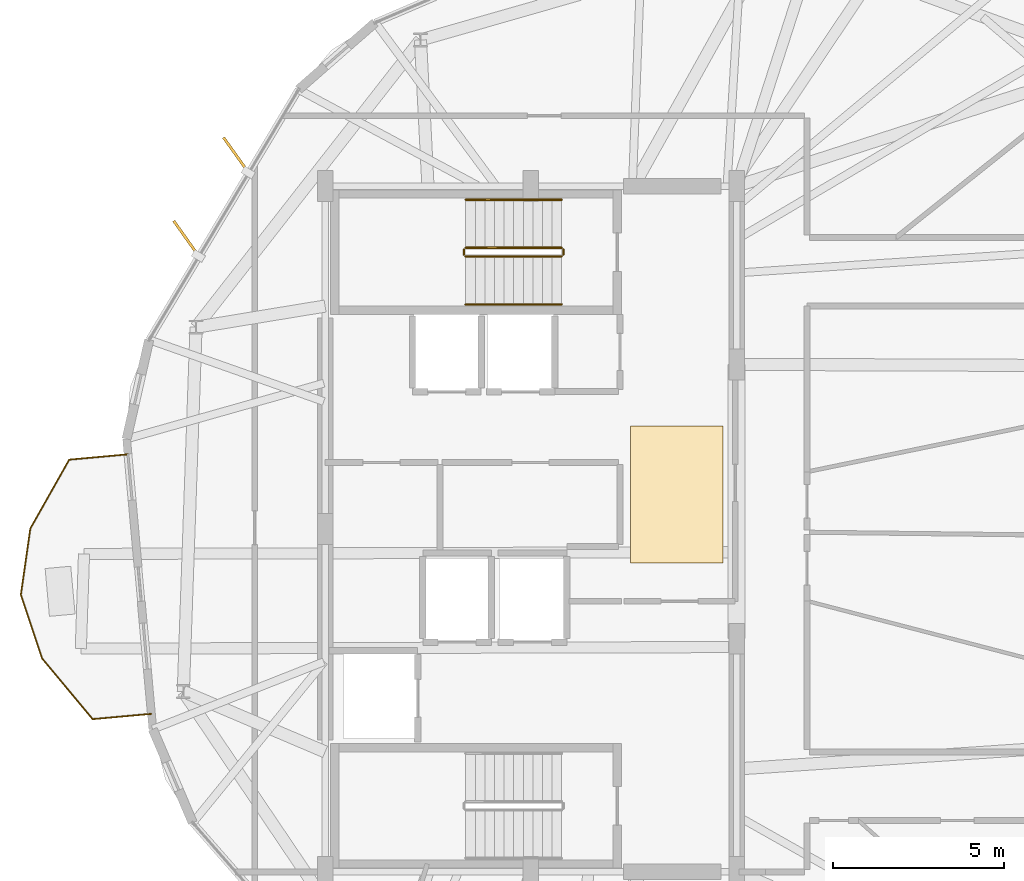
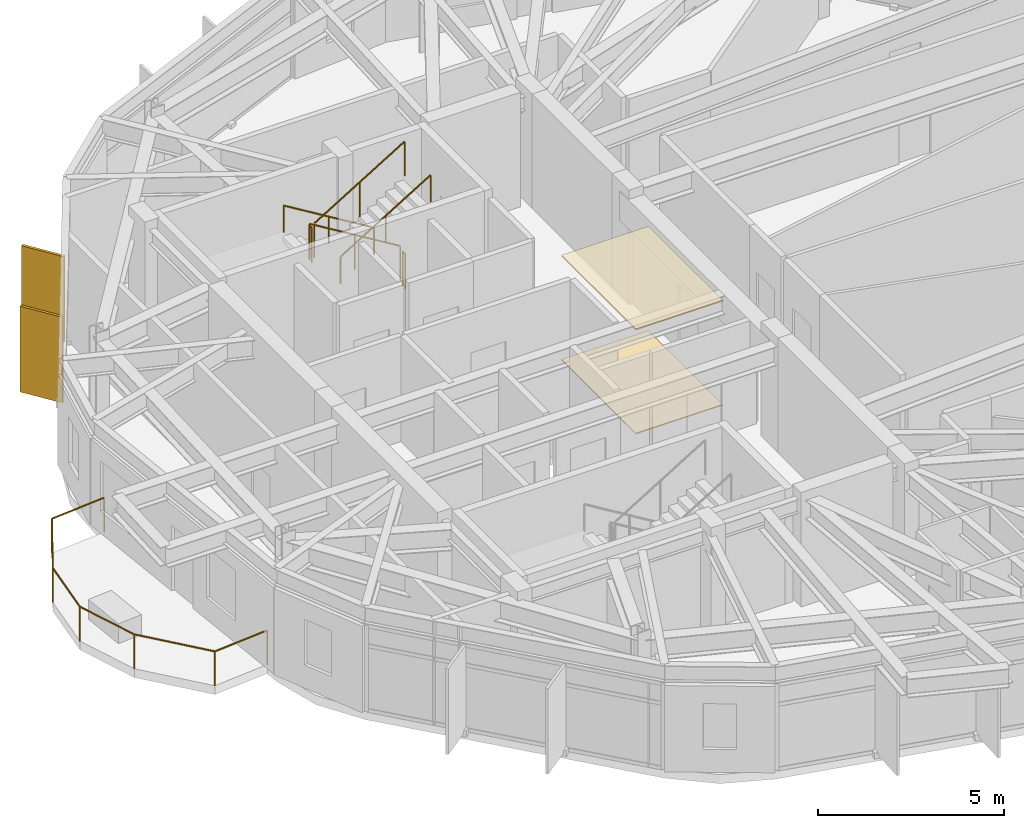
# One storey, part 22 of 23: 7 railings, 2 coverings, 2 shading devices.
"""IFC4 building model written with IfcOpenShell, lengths in metres."""

from ifc_helpers import new_model, si_unit, direction, frame, origin, origin_2d, place, context, subcontext, project, spatial, polyline, rectangle, circle, outline, extrude, material, layer, layer_set, type_object, element, save


model = new_model("IFC4")

# Units and contexts
model_context = context("Model", 3, precision=1e-05, world=origin(), true_north=direction((0.0, 1.0)))
body_context = subcontext(model_context, "Body", "Model", "MODEL_VIEW")
ifc_project = project(units=[si_unit("LENGTHUNIT", "METRE"), si_unit("AREAUNIT", "SQUARE_METRE"), si_unit("VOLUMEUNIT", "CUBIC_METRE"), si_unit("PLANEANGLEUNIT", "RADIAN"), si_unit("MASSUNIT", "GRAM", prefix="KILO")], contexts=[model_context])

# Site, building, storey
site_placement = place(None, origin())
site = spatial("IfcSite", under=ifc_project, at=site_placement, CompositionType="ELEMENT")
building_placement = place(site_placement, origin())
building = spatial("IfcBuilding", under=site, at=building_placement, Name="Soratama Intermodal Tower", CompositionType="ELEMENT")
storey_placement = place(building_placement, frame((0.0, 0.0, 250.0)))
storey = spatial("IfcBuildingStorey", under=building, at=storey_placement, Name="L63", CompositionType="ELEMENT", Elevation=250.0)

# Coverings
ifc_material_1 = material(Name="Perforated mineral acoustic ceiling", Category="concrete")
ifc_layer_1 = layer(ifc_material_1, 0.0400390625)
ifc_layer_set_1 = layer_set([ifc_layer_1], Name="Perforated mineral acoustic ceiling")
covering_type_1 = type_object("IfcCoveringType", Name="CV-CEIL-ACOUSTIC", PredefinedType="CEILING", material=ifc_layer_set_1)
covering_1_placement = place(storey_placement, frame((0.0, 0.0, 3.409912109375)))
element("IfcCovering", 1, at=covering_1_placement, inside=storey, type_object=covering_type_1, Name="L63 Acoustic Ceiling", PredefinedType="CEILING", context=body_context, shape_type="SweptSolid", body=[
    extrude(outline(polyline([(41.5, 24.0), (44.199951171875, 24.0), (44.199951171875, 28.0), (41.5, 28.0), (41.5, 24.0)])), origin(), (0.0, 0.0, 1.0), 0.0400390625),
])
ifc_material_2 = material(Name="Polished Andean stone terrazzo flooring", Category="masonry")
ifc_layer_2 = layer(ifc_material_2, 0.030029296875)
ifc_layer_set_2 = layer_set([ifc_layer_2], Name="Polished Andean stone terrazzo flooring")
covering_type_2 = type_object("IfcCoveringType", Name="CV-FLOR-TERRAZZO", PredefinedType="FLOORING", material=ifc_layer_set_2)
covering_2_placement = place(storey_placement, origin())
element("IfcCovering", 2, at=covering_2_placement, inside=storey, type_object=covering_type_2, Name="L63 Lobby Terrazzo Flooring", PredefinedType="FLOORING", context=body_context, shape_type="SweptSolid", body=[
    extrude(outline(polyline([(41.5, 24.0), (44.199951171875, 24.0), (44.199951171875, 28.0), (41.5, 28.0), (41.5, 24.0)])), origin(), (0.0, 0.0, 1.0), 0.030029296875),
])

# Railings
ifc_material_3 = material(Name="Laminated glass and stainless steel balustrade", Category="steel")
railing_type_1 = type_object("IfcRailingType", Name="RL-BAL-1150", PredefinedType="BALUSTRADE", material=ifc_material_3)
railing_1_placement = place(storey_placement, frame((27.5341796875, 19.607421875, 0.0)))
element("IfcRailing", 3, at=railing_1_placement, inside=storey, type_object=railing_type_1, Name="L63 Balcony Balustrade 3", PredefinedType="BALUSTRADE", context=body_context, shape_type="SweptSolid", body=[
    extrude(circle(Radius=0.02392578125, at=origin_2d()), frame((0.0, 0.0, 1.1259765625), z_axis=(-0.995954644308, -0.089857367424, 0.0), x_axis=(0.089857367424, -0.995954644308, 0.0)), (0.0, 0.0, 1.0), 1.7197265625),
    extrude(circle(Radius=0.02392578125, at=origin_2d()), frame((-1.712890625, -0.154541015625, 1.1259765625), z_axis=(-0.639695301747, 0.768628597519, 0.0), x_axis=(-0.768628597519, -0.639695301747, 0.0)), (0.0, 0.0, 1.0), 2.308349609375),
    extrude(circle(Radius=0.02392578125, at=origin_2d()), frame((-3.189453125, 1.61962890625, 1.1259765625), z_axis=(-0.316490349609, 0.948595729805, 0.0), x_axis=(-0.948595729805, -0.316490349609, 0.0)), (0.0, 0.0, 1.0), 1.952392578125),
    extrude(circle(Radius=0.02392578125, at=origin_2d()), frame((-3.807373046875, 3.4716796875, 1.1259765625), z_axis=(0.141561415586, 0.989929475072, 0.0), x_axis=(-0.989929475072, 0.141561415586, 0.0)), (0.0, 0.0, 1.0), 1.952392578125),
    extrude(circle(Radius=0.02392578125, at=origin_2d()), frame((-3.531005859375, 5.404296875, 1.1259765625), z_axis=(0.491541322595, 0.870854251974, 0.0), x_axis=(-0.870854251974, 0.491541322595, 0.0)), (0.0, 0.0, 1.0), 2.30810546875),
    extrude(circle(Radius=0.02392578125, at=origin_2d()), frame((-2.396484375, 7.414306640625, 1.1259765625), z_axis=(0.995943079965, 0.089985451432, 0.0), x_axis=(-0.089985451432, 0.995943079965, 0.0)), (0.0, 0.0, 1.0), 1.72021484375),
    extrude(circle(Radius=0.02099609375, at=origin_2d()), origin(), (0.0, 0.0, 1.0), 1.101806640625),
    extrude(circle(Radius=0.02099609375, at=origin_2d()), frame((-1.712890625, -0.154541015625, 0.0)), (0.0, 0.0, 1.0), 1.101806640625),
    extrude(circle(Radius=0.02099609375, at=origin_2d()), frame((-3.189453125, 1.61962890625, 0.0)), (0.0, 0.0, 1.0), 1.101806640625),
    extrude(circle(Radius=0.02099609375, at=origin_2d()), frame((-3.807373046875, 3.4716796875, 0.0)), (0.0, 0.0, 1.0), 1.101806640625),
    extrude(circle(Radius=0.02099609375, at=origin_2d()), frame((-3.531005859375, 5.404296875, 0.0)), (0.0, 0.0, 1.0), 1.101806640625),
    extrude(circle(Radius=0.02099609375, at=origin_2d()), frame((-2.396484375, 7.414306640625, 0.0)), (0.0, 0.0, 1.0), 1.101806640625),
    extrude(circle(Radius=0.02099609375, at=origin_2d()), frame((-0.683349609375, 7.569091796875, 0.0)), (0.0, 0.0, 1.0), 1.101806640625),
])
ifc_material_4 = material(Name="Painted steel stair guardrail", Category="steel")
railing_type_2 = type_object("IfcRailingType", Name="RL-STAIR-GUARD", PredefinedType="GUARDRAIL", material=ifc_material_4)
railing_2_placement = place(storey_placement, frame((39.5, 33.199951171875, 0.17041015625)))
element("IfcRailing", 4, at=railing_2_placement, inside=storey, type_object=railing_type_2, Name="L63 ST-2 stair guard 1", PredefinedType="GUARDRAIL", context=body_context, shape_type="SweptSolid", body=[
    extrude(circle(Radius=0.02392578125, at=origin_2d()), frame((0.0, 0.0, 1.1259765625), z_axis=(-0.854169791009, 0.0, 0.51999420009), x_axis=(0.0, -1.0, 0.0)), (0.0, 0.0, 1.0), 3.278076171875),
    extrude(circle(Radius=0.02099609375, at=origin_2d()), origin(), (0.0, 0.0, 1.0), 1.101806640625),
    extrude(circle(Radius=0.02099609375, at=origin_2d()), frame((-1.39990234375, 0.0, 0.852294921875)), (0.0, 0.0, 1.0), 1.101806640625),
    extrude(circle(Radius=0.02099609375, at=origin_2d()), frame((-2.800048828125, 0.0, 1.70458984375)), (0.0, 0.0, 1.0), 1.101806640625),
])
railing_3_placement = place(storey_placement, frame((36.64990234375, 33.14990234375, 1.875)))
element("IfcRailing", 5, at=railing_3_placement, inside=storey, type_object=railing_type_2, Name="L63 ST-2 stair guard 2", PredefinedType="GUARDRAIL", context=body_context, shape_type="SweptSolid", body=[
    extrude(circle(Radius=0.02392578125, at=origin_2d()), frame((0.0, 0.0, 1.1259765625), z_axis=(0.0, -1.0, 0.0), x_axis=(1.0, 0.0, 0.0)), (0.0, 0.0, 1.0), 0.14990234375),
    extrude(circle(Radius=0.02099609375, at=origin_2d()), origin(), (0.0, 0.0, 1.0), 1.101806640625),
    extrude(circle(Radius=0.02099609375, at=origin_2d()), frame((0.0, -0.14990234375, 0.0)), (0.0, 0.0, 1.0), 1.101806640625),
])
railing_4_placement = place(storey_placement, frame((36.699951171875, 32.949951171875, 2.04541015625)))
element("IfcRailing", 6, at=railing_4_placement, inside=storey, type_object=railing_type_2, Name="L63 ST-2 stair guard 3", PredefinedType="GUARDRAIL", context=body_context, shape_type="SweptSolid", body=[
    extrude(circle(Radius=0.02392578125, at=origin_2d()), frame((0.0, 0.0, 1.1259765625), z_axis=(0.854169791009, 0.0, 0.51999420009), x_axis=(0.0, 1.0, 0.0)), (0.0, 0.0, 1.0), 3.278076171875),
    extrude(circle(Radius=0.02099609375, at=origin_2d()), origin(), (0.0, 0.0, 1.0), 1.101806640625),
    extrude(circle(Radius=0.02099609375, at=origin_2d()), frame((1.39990234375, 0.0, 0.852294921875)), (0.0, 0.0, 1.0), 1.101806640625),
    extrude(circle(Radius=0.02099609375, at=origin_2d()), frame((2.800048828125, 0.0, 1.70458984375)), (0.0, 0.0, 1.0), 1.101806640625),
])
railing_5_placement = place(storey_placement, frame((39.550048828125, 33.14990234375, 0.0)))
element("IfcRailing", 7, at=railing_5_placement, inside=storey, type_object=railing_type_2, Name="L63 ST-2 stair guard 4", PredefinedType="GUARDRAIL", context=body_context, shape_type="SweptSolid", body=[
    extrude(circle(Radius=0.02392578125, at=origin_2d()), frame((0.0, 0.0, 1.1259765625), z_axis=(0.0, -1.0, 0.0), x_axis=(1.0, 0.0, 0.0)), (0.0, 0.0, 1.0), 0.14990234375),
    extrude(circle(Radius=0.02099609375, at=origin_2d()), origin(), (0.0, 0.0, 1.0), 1.101806640625),
    extrude(circle(Radius=0.02099609375, at=origin_2d()), frame((0.0, -0.14990234375, 0.0)), (0.0, 0.0, 1.0), 1.101806640625),
])
ifc_material_5 = material(Name="Brushed stainless steel handrail", Category="steel")
railing_type_3 = type_object("IfcRailingType", Name="RL-STAIR-HAND", PredefinedType="HANDRAIL", material=ifc_material_5)
railing_6_placement = place(storey_placement, frame((39.5, 34.60009765625, 0.17041015625)))
element("IfcRailing", 8, at=railing_6_placement, inside=storey, type_object=railing_type_3, Name="L63 ST-2 stair handrail 1", PredefinedType="HANDRAIL", context=body_context, shape_type="SweptSolid", body=[
    extrude(circle(Radius=0.02392578125, at=origin_2d()), frame((0.0, 0.0, 0.8759765625), z_axis=(-0.854169791009, 0.0, 0.51999420009), x_axis=(0.0, -1.0, 0.0)), (0.0, 0.0, 1.0), 3.278076171875),
    extrude(circle(Radius=0.02099609375, at=origin_2d()), origin(), (0.0, 0.0, 1.0), 0.851806640625),
    extrude(circle(Radius=0.02099609375, at=origin_2d()), frame((-1.39990234375, 0.0, 0.852294921875)), (0.0, 0.0, 1.0), 0.851806640625),
    extrude(circle(Radius=0.02099609375, at=origin_2d()), frame((-2.800048828125, 0.0, 1.70458984375)), (0.0, 0.0, 1.0), 0.851806640625),
])
railing_7_placement = place(storey_placement, frame((36.699951171875, 31.550048828125, 2.04541015625)))
element("IfcRailing", 9, at=railing_7_placement, inside=storey, type_object=railing_type_3, Name="L63 ST-2 stair handrail 2", PredefinedType="HANDRAIL", context=body_context, shape_type="SweptSolid", body=[
    extrude(circle(Radius=0.02392578125, at=origin_2d()), frame((0.0, 0.0, 0.8759765625), z_axis=(0.854169791009, 0.0, 0.51999420009), x_axis=(0.0, 1.0, 0.0)), (0.0, 0.0, 1.0), 3.278076171875),
    extrude(circle(Radius=0.02099609375, at=origin_2d()), origin(), (0.0, 0.0, 1.0), 0.851806640625),
    extrude(circle(Radius=0.02099609375, at=origin_2d()), frame((1.39990234375, 0.0, 0.852294921875)), (0.0, 0.0, 1.0), 0.851806640625),
    extrude(circle(Radius=0.02099609375, at=origin_2d()), frame((2.800048828125, 0.0, 1.70458984375)), (0.0, 0.0, 1.0), 0.851806640625),
])

# Shading devices
ifc_material_6 = material(Name="Champagne anodised aluminium solar fin", Category="aluminium")
ifc_layer_3 = layer(ifc_material_6, 0.080078125)
ifc_layer_set_3 = layer_set([ifc_layer_3], Name="Champagne anodised aluminium solar fin")
shading_device_type = type_object("IfcShadingDeviceType", Name="SH-FIN-1250", PredefinedType="USERDEFINED", material=ifc_layer_set_3)
for number, where, z_axis, x_axis, name in (
    (10, (30.000244140625, 35.90771484375, 0.02001953125), (0.0, 0.0, 1.0), (-0.580134454392, 0.814520727071, 0.0), "L63 Solar Fin F03-1"),
    (11, (28.5478515625, 33.47509765625, 0.02001953125), (0.0, 0.0, 1.0), (-0.580134454392, 0.814520727071, 0.0), "L63 Solar Fin F03-2"),
):
    element("IfcShadingDevice", number, at=place(storey_placement, frame(where, z_axis=z_axis, x_axis=x_axis)), inside=storey, type_object=shading_device_type, Name=name, ObjectType="FIN", PredefinedType="USERDEFINED", context=body_context, shape_type="SweptSolid", body=[
        extrude(rectangle(XDim=1.25, YDim=0.080078125, at=origin_2d()), origin(), (0.0, 0.0, 1.0), 2.80908203125),
    ])

save(model, "model.ifc")
